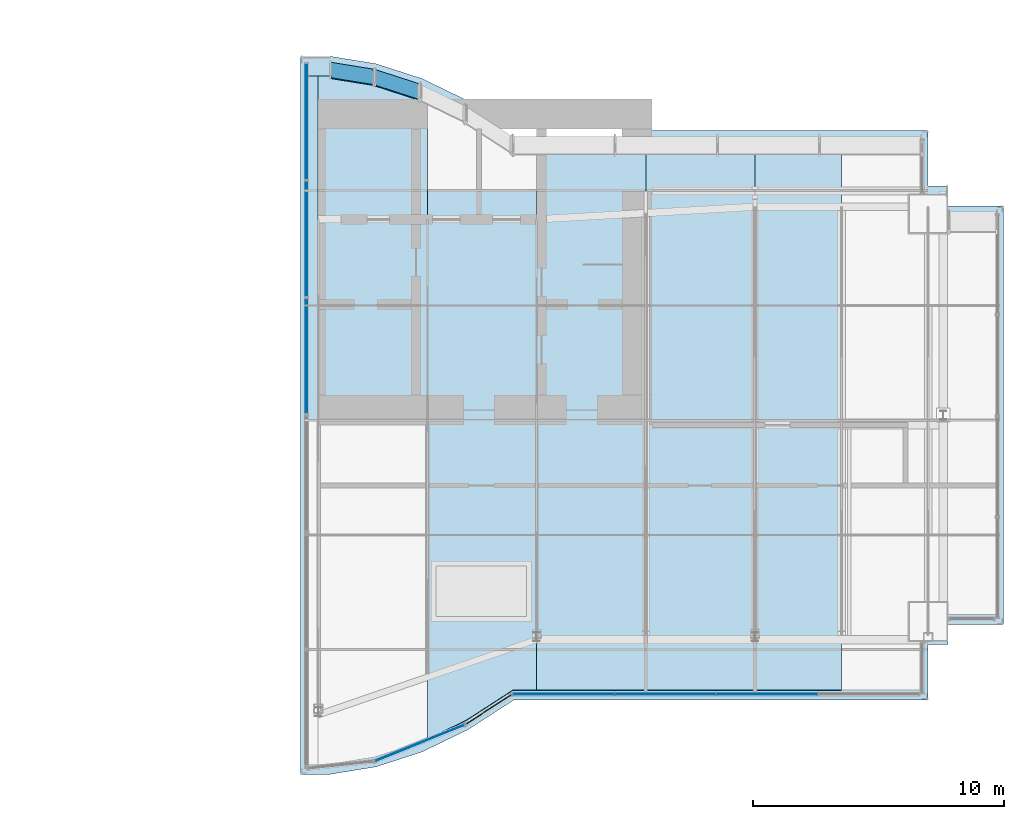
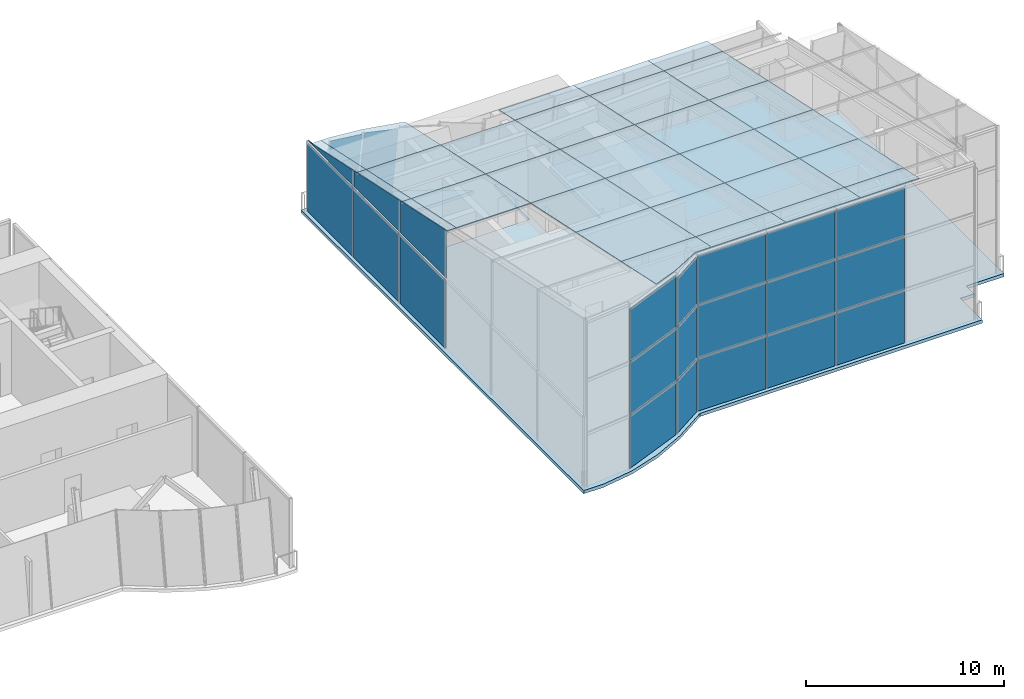
# One storey, part 11 of 17: 52 plates, 1 slab, 9 elements without a shape of their own.
"""IFC4 building model written with IfcOpenShell, lengths in metres."""

from ifc_helpers import new_model, si_unit, direction, frame, origin, origin_2d, place, context, subcontext, project, spatial, polyline, rectangle, outline, extrude, material, layer, layer_set, type_object, element, aggregate, save


model = new_model("IFC4")

# Units and contexts
model_context = context("Model", 3, precision=1e-05, world=origin(), true_north=direction((0.0, 1.0)))
body_context = subcontext(model_context, "Body", "Model", "MODEL_VIEW")
ifc_project = project(units=[si_unit("LENGTHUNIT", "METRE"), si_unit("AREAUNIT", "SQUARE_METRE"), si_unit("VOLUMEUNIT", "CUBIC_METRE"), si_unit("PLANEANGLEUNIT", "RADIAN"), si_unit("MASSUNIT", "GRAM", prefix="KILO")], contexts=[model_context])

# Site, building, storey
site_placement = place(None, origin())
site = spatial("IfcSite", under=ifc_project, at=site_placement, CompositionType="ELEMENT")
building_placement = place(site_placement, origin())
building = spatial("IfcBuilding", under=site, at=building_placement, Name="Bicima Exchange Tower", CompositionType="ELEMENT")
storey_placement = place(building_placement, frame((0.0, 0.0, 356.89990234375)))
storey = spatial("IfcBuildingStorey", under=building, at=storey_placement, Name="L80", CompositionType="ELEMENT", Elevation=356.89990234375)

# Slab
ifc_material_1 = material(Name="Concrete C40/50", Category="concrete")
ifc_layer_1 = layer(ifc_material_1, 0.199951171875)
ifc_layer_set_1 = layer_set([ifc_layer_1], Name="Concrete C40/50")
slab_type = type_object("IfcSlabType", Name="Composite floor slab 200", PredefinedType="FLOOR", material=ifc_layer_set_1)
slab_placement = place(storey_placement, frame((0.0, 0.0, -0.199951171875)))
element("IfcSlab", 1, at=slab_placement, inside=storey, type_object=slab_type, Name="Floor slab", PredefinedType="FLOOR", context=body_context, shape_type="SweptSolid", body=[
    extrude(outline(polyline([(33.0, -1.264892578125), (33.0, -3.46484375), (33.800048828125, -3.46484375), (33.800048828125, -4.264892578125), (36.0, -4.264892578125), (36.0, -20.944091796875), (33.800048828125, -20.944091796875), (33.800048828125, -21.743896484375), (33.0, -21.743896484375), (33.0, -23.944091796875), (16.5, -23.944091796875), (14.666748046875, -25.129150390625), (12.833251953125, -26.01806640625), (11.0, -26.610595703125), (9.166748046875, -26.906982421875), (8.0, -26.906982421875), (8.0, 1.697998046875), (9.166748046875, 1.697998046875), (11.0, 1.40185546875), (12.833251953125, 0.80908203125), (14.666748046875, -0.07958984375), (16.399658203125, -1.199951171875), (15.10009765625, -1.199951171875), (12.60009765625, -1.199951171875), (12.60009765625, -4.800048828125), (15.10009765625, -4.800048828125), (17.60009765625, -4.800048828125), (17.60009765625, -1.264892578125), (17.800048828125, -1.264892578125), (17.800048828125, -6.449951171875), (20.800048828125, -6.449951171875), (20.800048828125, -1.264892578125), (33.0, -1.264892578125)])), origin(), (0.0, 0.0, 1.0), 0.199951171875),
])

# Curtain wall, plates
ifc_material_2 = material(Name="Anodised bronze aluminium", Category="aluminium")
curtain_wall_type = type_object("IfcCurtainWallType", Name="Crown glass wall", PredefinedType="NOTDEFINED", material=ifc_material_2)
curtain_wall_1_placement = place(storey_placement, origin())
curtain_wall_1 = element("IfcCurtainWall", 2, at=curtain_wall_1_placement, inside=storey, type_object=curtain_wall_type, Name="Crown glass wall L80 run 8", PredefinedType="NOTDEFINED")
ifc_material_3 = material(Name="Bronze tinted glass", Category="glass")
ifc_layer_2 = layer(ifc_material_3, 0.035888671875)
ifc_layer_set_2 = layer_set([ifc_layer_2], Name="Bronze tinted glass")
plate_type_1 = type_object("IfcPlateType", Name="Crown glass wall glass panel 36", PredefinedType="CURTAIN_PANEL", material=ifc_layer_set_2)
plate_1_placement = place(storey_placement, frame((8.22998046875, -0.894775390625, 0.0), z_axis=(0.0, 0.0, 1.0), x_axis=(0.0, -1.0, 0.0)))
plate_1 = element("IfcPlate", 3, at=plate_1_placement, type_object=plate_type_1, Name="Crown glass wall panel 1.1", PredefinedType="CURTAIN_PANEL", context=body_context, shape_type="SweptSolid", body=[
    extrude(rectangle(XDim=4.60595703125, YDim=0.035888671875, at=origin_2d()), origin(), (0.0, 0.0, 1.0), 4.20947265625),
])
plate_2_placement = place(storey_placement, frame((8.22998046875, -5.560791015625, 0.0), z_axis=(0.0, 0.0, 1.0), x_axis=(0.0, -1.0, 0.0)))
plate_2 = element("IfcPlate", 4, at=plate_2_placement, type_object=plate_type_1, Name="Crown glass wall panel 2.1", PredefinedType="CURTAIN_PANEL", context=body_context, shape_type="SweptSolid", body=[
    extrude(rectangle(XDim=4.605712890625, YDim=0.035888671875, at=origin_2d()), origin(), (0.0, 0.0, 1.0), 4.20947265625),
])
plate_3_placement = place(storey_placement, frame((8.22998046875, -10.2265625, 0.0), z_axis=(0.0, 0.0, 1.0), x_axis=(0.0, -1.0, 0.0)))
plate_3 = element("IfcPlate", 5, at=plate_3_placement, type_object=plate_type_1, Name="Crown glass wall panel 3.1", PredefinedType="CURTAIN_PANEL", context=body_context, shape_type="SweptSolid", body=[
    extrude(rectangle(XDim=4.60595703125, YDim=0.035888671875, at=origin_2d()), origin(), (0.0, 0.0, 1.0), 4.20947265625),
])
aggregate(curtain_wall_1, [plate_1, plate_2, plate_3])

curtain_wall_2_placement = place(storey_placement, origin())
curtain_wall_2 = element("IfcCurtainWall", 6, at=curtain_wall_2_placement, inside=storey, type_object=curtain_wall_type, Name="Crown glass wall L80 run 9", PredefinedType="NOTDEFINED")
plate_4_placement = place(storey_placement, frame((12.749755859375, -25.657470703125, 0.0), z_axis=(0.0, 0.0, 1.0), x_axis=(0.92714396679, 0.374705304, 0.0)))
plate_4 = element("IfcPlate", 7, at=plate_4_placement, type_object=plate_type_1, Name="Crown glass wall panel 1.1", PredefinedType="CURTAIN_PANEL", context=body_context, shape_type="SweptSolid", body=[
    extrude(rectangle(XDim=3.771240234375, YDim=0.035888671875, at=origin_2d()), origin(), (0.0, 0.0, 1.0), 3.219970703125),
])
plate_5_placement = place(storey_placement, frame((12.749755859375, -25.657470703125, 3.30029296875), z_axis=(0.0, 0.0, 1.0), x_axis=(0.92714396679, 0.374705304, 0.0)))
plate_5 = element("IfcPlate", 8, at=plate_5_placement, type_object=plate_type_1, Name="Crown glass wall panel 1.2", PredefinedType="CURTAIN_PANEL", context=body_context, shape_type="SweptSolid", body=[
    extrude(rectangle(XDim=3.771240234375, YDim=0.035888671875, at=origin_2d()), origin(), (0.0, 0.0, 1.0), 3.219970703125),
])
plate_6_placement = place(storey_placement, frame((12.749755859375, -25.657470703125, 6.60009765625), z_axis=(0.0, 0.0, 1.0), x_axis=(0.92714396679, 0.374705304, 0.0)))
plate_6 = element("IfcPlate", 9, at=plate_6_placement, type_object=plate_type_1, Name="Crown glass wall panel 1.3", PredefinedType="CURTAIN_PANEL", context=body_context, shape_type="SweptSolid", body=[
    extrude(rectangle(XDim=3.771240234375, YDim=0.035888671875, at=origin_2d()), origin(), (0.0, 0.0, 1.0), 3.22021484375),
])
plate_7_placement = place(storey_placement, frame((15.492919921875, -24.3212890625, 0.0), z_axis=(0.0, 0.0, 1.0), x_axis=(0.839790466384, 0.542910648791, 0.0)))
plate_7 = element("IfcPlate", 10, at=plate_7_placement, type_object=plate_type_1, Name="Crown glass wall panel 1.1", PredefinedType="CURTAIN_PANEL", context=body_context, shape_type="SweptSolid", body=[
    extrude(rectangle(XDim=2.11669921875, YDim=0.035888671875, at=origin_2d()), origin(), (0.0, 0.0, 1.0), 3.219970703125),
])
plate_8_placement = place(storey_placement, frame((15.492919921875, -24.3212890625, 3.30029296875), z_axis=(0.0, 0.0, 1.0), x_axis=(0.839790466384, 0.542910648791, 0.0)))
plate_8 = element("IfcPlate", 11, at=plate_8_placement, type_object=plate_type_1, Name="Crown glass wall panel 1.2", PredefinedType="CURTAIN_PANEL", context=body_context, shape_type="SweptSolid", body=[
    extrude(rectangle(XDim=2.11669921875, YDim=0.035888671875, at=origin_2d()), origin(), (0.0, 0.0, 1.0), 3.219970703125),
])
plate_9_placement = place(storey_placement, frame((15.492919921875, -24.3212890625, 6.60009765625), z_axis=(0.0, 0.0, 1.0), x_axis=(0.839790466384, 0.542910648791, 0.0)))
plate_9 = element("IfcPlate", 12, at=plate_9_placement, type_object=plate_type_1, Name="Crown glass wall panel 1.3", PredefinedType="CURTAIN_PANEL", context=body_context, shape_type="SweptSolid", body=[
    extrude(rectangle(XDim=2.11669921875, YDim=0.035888671875, at=origin_2d()), origin(), (0.0, 0.0, 1.0), 2.962158203125),
])
aggregate(curtain_wall_2, [plate_4, plate_5, plate_6, plate_7, plate_8, plate_9])

curtain_wall_3_placement = place(storey_placement, origin())
curtain_wall_3 = element("IfcCurtainWall", 13, at=curtain_wall_3_placement, inside=storey, type_object=curtain_wall_type, Name="Crown glass wall L80 run 12", PredefinedType="NOTDEFINED")
plate_10_placement = place(storey_placement, frame((18.485595703125, -23.714111328125, 0.0), z_axis=(0.0, 0.0, 1.0), x_axis=(1.0, 0.0, 0.0)))
plate_10 = element("IfcPlate", 14, at=plate_10_placement, type_object=plate_type_1, Name="Crown glass wall panel 1.1", PredefinedType="CURTAIN_PANEL", context=body_context, shape_type="SweptSolid", body=[
    extrude(rectangle(XDim=3.987060546875, YDim=0.035888671875, at=origin_2d()), origin(), (0.0, 0.0, 1.0), 3.219970703125),
])
plate_11_placement = place(storey_placement, frame((18.485595703125, -23.714111328125, 3.30029296875), z_axis=(0.0, 0.0, 1.0), x_axis=(1.0, 0.0, 0.0)))
plate_11 = element("IfcPlate", 15, at=plate_11_placement, type_object=plate_type_1, Name="Crown glass wall panel 1.2", PredefinedType="CURTAIN_PANEL", context=body_context, shape_type="SweptSolid", body=[
    extrude(rectangle(XDim=3.987060546875, YDim=0.035888671875, at=origin_2d()), origin(), (0.0, 0.0, 1.0), 3.219970703125),
])
plate_12_placement = place(storey_placement, frame((18.485595703125, -23.714111328125, 6.60009765625), z_axis=(0.0, 0.0, 1.0), x_axis=(1.0, 0.0, 0.0)))
plate_12 = element("IfcPlate", 16, at=plate_12_placement, type_object=plate_type_1, Name="Crown glass wall panel 1.3", PredefinedType="CURTAIN_PANEL", context=body_context, shape_type="SweptSolid", body=[
    extrude(rectangle(XDim=3.987060546875, YDim=0.035888671875, at=origin_2d()), origin(), (0.0, 0.0, 1.0), 2.962158203125),
])
plate_13_placement = place(storey_placement, frame((22.53271484375, -23.714111328125, 0.0), z_axis=(0.0, 0.0, 1.0), x_axis=(1.0, 0.0, 0.0)))
plate_13 = element("IfcPlate", 17, at=plate_13_placement, type_object=plate_type_1, Name="Crown glass wall panel 2.1", PredefinedType="CURTAIN_PANEL", context=body_context, shape_type="SweptSolid", body=[
    extrude(rectangle(XDim=3.987060546875, YDim=0.035888671875, at=origin_2d()), origin(), (0.0, 0.0, 1.0), 3.219970703125),
])
plate_14_placement = place(storey_placement, frame((22.53271484375, -23.714111328125, 3.30029296875), z_axis=(0.0, 0.0, 1.0), x_axis=(1.0, 0.0, 0.0)))
plate_14 = element("IfcPlate", 18, at=plate_14_placement, type_object=plate_type_1, Name="Crown glass wall panel 2.2", PredefinedType="CURTAIN_PANEL", context=body_context, shape_type="SweptSolid", body=[
    extrude(rectangle(XDim=3.987060546875, YDim=0.035888671875, at=origin_2d()), origin(), (0.0, 0.0, 1.0), 3.219970703125),
])
plate_15_placement = place(storey_placement, frame((22.53271484375, -23.714111328125, 6.60009765625), z_axis=(0.0, 0.0, 1.0), x_axis=(1.0, 0.0, 0.0)))
plate_15 = element("IfcPlate", 19, at=plate_15_placement, type_object=plate_type_1, Name="Crown glass wall panel 2.3", PredefinedType="CURTAIN_PANEL", context=body_context, shape_type="SweptSolid", body=[
    extrude(rectangle(XDim=3.987060546875, YDim=0.035888671875, at=origin_2d()), origin(), (0.0, 0.0, 1.0), 2.962158203125),
])
plate_16_placement = place(storey_placement, frame((26.57958984375, -23.714111328125, 0.0), z_axis=(0.0, 0.0, 1.0), x_axis=(1.0, 0.0, 0.0)))
plate_16 = element("IfcPlate", 20, at=plate_16_placement, type_object=plate_type_1, Name="Crown glass wall panel 3.1", PredefinedType="CURTAIN_PANEL", context=body_context, shape_type="SweptSolid", body=[
    extrude(rectangle(XDim=3.987060546875, YDim=0.035888671875, at=origin_2d()), origin(), (0.0, 0.0, 1.0), 3.219970703125),
])
plate_17_placement = place(storey_placement, frame((26.57958984375, -23.714111328125, 3.30029296875), z_axis=(0.0, 0.0, 1.0), x_axis=(1.0, 0.0, 0.0)))
plate_17 = element("IfcPlate", 21, at=plate_17_placement, type_object=plate_type_1, Name="Crown glass wall panel 3.2", PredefinedType="CURTAIN_PANEL", context=body_context, shape_type="SweptSolid", body=[
    extrude(rectangle(XDim=3.987060546875, YDim=0.035888671875, at=origin_2d()), origin(), (0.0, 0.0, 1.0), 3.219970703125),
])
plate_18_placement = place(storey_placement, frame((26.57958984375, -23.714111328125, 6.60009765625), z_axis=(0.0, 0.0, 1.0), x_axis=(1.0, 0.0, 0.0)))
plate_18 = element("IfcPlate", 22, at=plate_18_placement, type_object=plate_type_1, Name="Crown glass wall panel 3.3", PredefinedType="CURTAIN_PANEL", context=body_context, shape_type="SweptSolid", body=[
    extrude(rectangle(XDim=3.987060546875, YDim=0.035888671875, at=origin_2d()), origin(), (0.0, 0.0, 1.0), 2.962158203125),
])
aggregate(curtain_wall_3, [plate_10, plate_11, plate_12, plate_13, plate_14, plate_15, plate_16, plate_17, plate_18])

# Curtain wall, plate
curtain_wall_4_placement = place(storey_placement, origin())
curtain_wall_4 = element("IfcCurtainWall", 23, at=curtain_wall_4_placement, inside=storey, type_object=curtain_wall_type, Name="Crown tilted glass L80 5.1", PredefinedType="NOTDEFINED")
plate_19_placement = place(storey_placement, frame((12.690185546875, 0.61376953125, 0.0), z_axis=(0.304908016955, 0.943112979928, 0.132548135739), x_axis=(-0.951508549588, 0.307622300981, 0.0)))
plate_19 = element("IfcPlate", 24, at=plate_19_placement, type_object=plate_type_1, Name="Crown tilted glass panel 1", PredefinedType="CURTAIN_PANEL", context=body_context, shape_type="SweptSolid", body=[
    extrude(outline(polyline([(0.0, 0.0), (1.772986400889888, 0.0), (1.5813983906841107, 4.470844672097375), (-0.1915880102057772, 4.470844672097375), (0.0, 0.0)])), origin(), (0.0, 0.0, -1.0), 0.035888671875),
])
aggregate(curtain_wall_4, [plate_19])

curtain_wall_5_placement = place(storey_placement, origin())
curtain_wall_5 = element("IfcCurtainWall", 25, at=curtain_wall_5_placement, inside=storey, type_object=curtain_wall_type, Name="Crown tilted glass L80 6.1", PredefinedType="NOTDEFINED")
plate_20_placement = place(storey_placement, frame((10.88671875, 1.18701171875, 0.0), z_axis=(0.158088693404, 0.977818375212, 0.137401565184), x_axis=(-0.987181369594, 0.159602454636, 0.0)))
plate_20 = element("IfcPlate", 26, at=plate_20_placement, type_object=plate_type_1, Name="Crown tilted glass panel 1", PredefinedType="CURTAIN_PANEL", context=body_context, shape_type="SweptSolid", body=[
    extrude(outline(polyline([(0.0, 0.0), (1.7010037572326968, 0.0), (1.6030056680211657, 4.411469816523273), (-0.09799808921153112, 4.411469816523273), (0.0, 0.0)])), origin(), (0.0, 0.0, -1.0), 0.035888671875),
])
aggregate(curtain_wall_5, [plate_20])

# Curtain wall, plates
curtain_wall_6_placement = place(storey_placement, origin())
curtain_wall_6 = element("IfcCurtainWall", 27, at=curtain_wall_6_placement, inside=storey, type_object=curtain_wall_type, Name="Gable glazing east 8", PredefinedType="NOTDEFINED")
plate_21_placement = place(storey_placement, frame((8.22998046875, 1.408203125, 4.36962890625), z_axis=(-1.0, 0.0, 0.0), x_axis=(0.0, -1.0, 0.0)))
plate_21 = element("IfcPlate", 28, at=plate_21_placement, type_object=plate_type_1, Name="Gable glazing panel 1", PredefinedType="CURTAIN_PANEL", context=body_context, shape_type="SweptSolid", body=[
    extrude(outline(polyline([(0.0, 0.0), (4.62109375, 0.0), (4.62109375, 0.994873046875), (0.0, 0.0)])), origin(), (0.0, 0.0, -1.0), 0.035888671875),
])
plate_22_placement = place(storey_placement, frame((8.22998046875, -3.272705078125, 4.36962890625), z_axis=(-1.0, 0.0, 0.0), x_axis=(0.0, -1.0, 0.0)))
plate_22 = element("IfcPlate", 29, at=plate_22_placement, type_object=plate_type_1, Name="Gable glazing panel 2", PredefinedType="CURTAIN_PANEL", context=body_context, shape_type="SweptSolid", body=[
    extrude(outline(polyline([(0.0, 0.0), (4.620849609375, 0.0), (4.620849609375, 1.989990234375), (0.0, 1.007568359375), (0.0, 0.0)])), origin(), (0.0, 0.0, -1.0), 0.035888671875),
])
plate_23_placement = place(storey_placement, frame((8.22998046875, -7.95361328125, 4.36962890625), z_axis=(-1.0, 0.0, 0.0), x_axis=(0.0, -1.0, 0.0)))
plate_23 = element("IfcPlate", 30, at=plate_23_placement, type_object=plate_type_1, Name="Gable glazing panel 3", PredefinedType="CURTAIN_PANEL", context=body_context, shape_type="SweptSolid", body=[
    extrude(outline(polyline([(0.0, 0.0), (4.620849609375, 0.0), (4.620849609375, 2.98486328125), (0.0, 2.002685546875), (0.0, 0.0)])), origin(), (0.0, 0.0, -1.0), 0.035888671875),
])
aggregate(curtain_wall_6, [plate_21, plate_22, plate_23])

curtain_wall_7_placement = place(storey_placement, origin())
curtain_wall_7 = element("IfcCurtainWall", 31, at=curtain_wall_7_placement, inside=storey, type_object=curtain_wall_type, Name="Roof glazing east", PredefinedType="NOTDEFINED")
ifc_material_4 = material(Name="Bronze tinted safety glass, interlayer bonded", Category="glass")
ifc_layer_3 = layer(ifc_material_4, 0.0439453125)
ifc_layer_set_3 = layer_set([ifc_layer_3], Name="Bronze tinted safety glass, interlayer bonded")
plate_type_2 = type_object("IfcPlateType", Name="Glass roof panel 44", PredefinedType="CURTAIN_PANEL", material=ifc_layer_set_3)
plate_24_placement = place(storey_placement, frame((8.14990234375, -8.227294921875, 6.475341796875), z_axis=(0.0, 0.207916236148, 0.978146634583), x_axis=(1.0, 0.0, 0.0)))
plate_24 = element("IfcPlate", 32, at=plate_24_placement, type_object=plate_type_2, Name="Glass roof panel east 1.4", PredefinedType="CURTAIN_PANEL", context=body_context, shape_type="SweptSolid", body=[
    extrude(outline(polyline([(0.0, 0.0), (0.550048828125, 0.0), (0.550048828125, -4.673418995556918), (0.0, -4.673418995556918), (0.0, 0.0)])), origin(), (0.0, 0.0, -1.0), 0.0439453125),
])
plate_25_placement = place(storey_placement, frame((8.14990234375, -3.65576171875, 5.503662109375), z_axis=(0.0, 0.207905612443, 0.978148892712), x_axis=(1.0, 0.0, 0.0)))
plate_25 = element("IfcPlate", 33, at=plate_25_placement, type_object=plate_type_2, Name="Glass roof panel east 1.5", PredefinedType="CURTAIN_PANEL", context=body_context, shape_type="SweptSolid", body=[
    extrude(outline(polyline([(0.0, 0.0), (0.550048828125, 0.0), (0.550048828125, -4.673657801163284), (0.0, -4.673657801163284), (0.0, 0.0)])), origin(), (0.0, 0.0, -1.0), 0.0439453125),
])
plate_26_placement = place(storey_placement, frame((8.699951171875, 0.915771484375, 4.531982421875), z_axis=(0.0, 0.207905612443, 0.978148892712), x_axis=(0.0, -0.978148892712, 0.207905612443)))
plate_26 = element("IfcPlate", 34, at=plate_26_placement, type_object=plate_type_2, Name="Glass roof panel east 1.6", PredefinedType="CURTAIN_PANEL", context=body_context, shape_type="SweptSolid", body=[
    extrude(outline(polyline([(0.0, 0.0), (4.673657801163284, 0.0), (4.673657801163284, -0.550048828125), (0.0, -0.550048828125), (0.0, 0.0)])), origin(), (0.0, 0.0, -1.0), 0.0439453125),
])
plate_27_placement = place(storey_placement, frame((8.699951171875, -12.798583984375, 7.447021484375), z_axis=(0.0, 0.207916236148, 0.978146634583), x_axis=(0.0, 0.978146634583, -0.207916236148)))
plate_27 = element("IfcPlate", 35, at=plate_27_placement, type_object=plate_type_2, Name="Glass roof panel east 2.4", PredefinedType="CURTAIN_PANEL", context=body_context, shape_type="SweptSolid", body=[
    extrude(outline(polyline([(0.0, 0.0), (4.673418995556918, 0.0), (4.673418995556918, -4.35009765625), (0.0, -4.35009765625), (0.0, 0.0)])), origin(), (0.0, 0.0, -1.0), 0.0439453125),
])
plate_28_placement = place(storey_placement, frame((8.699951171875, -8.227294921875, 6.475341796875), z_axis=(0.0, 0.207905612443, 0.978148892712), x_axis=(0.0, 0.978148892712, -0.207905612443)))
plate_28 = element("IfcPlate", 36, at=plate_28_placement, type_object=plate_type_2, Name="Glass roof panel east 2.5", PredefinedType="CURTAIN_PANEL", context=body_context, shape_type="SweptSolid", body=[
    extrude(outline(polyline([(0.0, 0.0), (4.673657801163284, 0.0), (4.673657801163284, -4.350097656250001), (0.0, -4.350097656250001), (0.0, 0.0)])), origin(), (0.0, 0.0, -1.0), 0.0439453125),
])

# Curtain wall, plate
curtain_wall_8_placement = place(storey_placement, origin())
curtain_wall_8 = element("IfcCurtainWall", 37, at=curtain_wall_8_placement, inside=storey, type_object=curtain_wall_type, Name="Roof edge glazing east 2.6", PredefinedType="NOTDEFINED")
plate_29_placement = place(storey_placement, frame((9.15478515625, 0.915771484375, 4.531982421875), z_axis=(-3.050073e-06, 0.207898905361, 0.978150318274), x_axis=(0.986605661612, -0.159558654485, 0.033916135595)))
plate_29 = element("IfcPlate", 38, at=plate_29_placement, type_object=plate_type_2, Name="Glass roof panel east 2.6", PredefinedType="CURTAIN_PANEL", context=body_context, shape_type="SweptSolid", body=[
    extrude(outline(polyline([(0.0, 0.0), (1.8346322794182268, 3.469446951953614e-18), (3.7202895712664765, -0.2951402318128174), (4.011648525369692, -0.38407393663901385), (4.605472499004927, -3.975648296354467), (0.3136415227828173, -4.685251347557086), (-0.4487417840779993, -0.07419410059436983), (0.0, 0.0)])), origin(), (0.0, 0.0, -1.0), 0.0439453125),
])
aggregate(curtain_wall_8, [plate_29])

curtain_wall_9_placement = place(storey_placement, origin())
curtain_wall_9 = element("IfcCurtainWall", 39, at=curtain_wall_9_placement, inside=storey, type_object=curtain_wall_type, Name="Roof edge glazing east 3.1", PredefinedType="NOTDEFINED")
plate_30_placement = place(storey_placement, frame((16.455810546875, -23.550048828125, 9.732177734375), z_axis=(9.656432e-06, 0.207892673294, 0.978151642792), x_axis=(-0.83428133959, -0.539291432476, 0.114627209992)))
plate_30 = element("IfcPlate", 40, at=plate_30_placement, type_object=plate_type_2, Name="Glass roof panel east 3.1", PredefinedType="CURTAIN_PANEL", context=body_context, shape_type="SweptSolid", body=[
    extrude(outline(polyline([(0.0, 0.0), (2.2328115012993077, -1.249000902703301e-16), (3.941715146078952, -0.21268645309308093), (1.9346570665769918, -3.2497493693516075), (-1.6943445514567501, -0.851505665734456), (-0.7876381689923376, 0.5205145872979472), (0.0, 0.0)])), origin(), (0.0, 0.0, -1.0), 0.0439453125),
])
aggregate(curtain_wall_9, [plate_30])

# Plate
plate_31_placement = place(storey_placement, frame((13.050048828125, -21.94140625, 9.390380859375), z_axis=(0.0, 0.207916236148, 0.978146634583), x_axis=(0.0, 0.978146634583, -0.207916236148)))
plate_31 = element("IfcPlate", 41, at=plate_31_placement, type_object=plate_type_2, Name="Glass roof panel east 3.2", PredefinedType="CURTAIN_PANEL", context=body_context, shape_type="SweptSolid", body=[
    extrude(outline(polyline([(0.0, 0.0), (4.673418995556918, 0.0), (4.673418995556918, -4.349853515625), (0.0, -4.349853515625), (0.0, 0.0)])), origin(), (0.0, 0.0, -1.0), 0.0439453125),
])

plate_32_placement = place(storey_placement, frame((13.050048828125, -17.3701171875, 8.418701171875), z_axis=(0.0, 0.207905612443, 0.978148892712), x_axis=(0.0, 0.978148892712, -0.207905612443)))
plate_32 = element("IfcPlate", 42, at=plate_32_placement, type_object=plate_type_2, Name="Glass roof panel east 3.3", PredefinedType="CURTAIN_PANEL", context=body_context, shape_type="SweptSolid", body=[
    extrude(outline(polyline([(0.0, 0.0), (4.673657801163284, 0.0), (4.673657801163284, -4.349853515624999), (0.0, -4.349853515624999), (0.0, 0.0)])), origin(), (0.0, 0.0, -1.0), 0.0439453125),
])

plate_33_placement = place(storey_placement, frame((13.050048828125, -12.798583984375, 7.447021484375), z_axis=(0.0, 0.207916236148, 0.978146634583), x_axis=(0.0, 0.978146634583, -0.207916236148)))
plate_33 = element("IfcPlate", 43, at=plate_33_placement, type_object=plate_type_2, Name="Glass roof panel east 3.4", PredefinedType="CURTAIN_PANEL", context=body_context, shape_type="SweptSolid", body=[
    extrude(outline(polyline([(0.0, 0.0), (4.673418995556918, 0.0), (4.673418995556918, -4.349853515625), (0.0, -4.349853515625), (0.0, 0.0)])), origin(), (0.0, 0.0, -1.0), 0.0439453125),
])

plate_34_placement = place(storey_placement, frame((13.050048828125, -8.227294921875, 6.475341796875), z_axis=(0.0, 0.207905612443, 0.978148892712), x_axis=(0.0, 0.978148892712, -0.207905612443)))
plate_34 = element("IfcPlate", 44, at=plate_34_placement, type_object=plate_type_2, Name="Glass roof panel east 3.5", PredefinedType="CURTAIN_PANEL", context=body_context, shape_type="SweptSolid", body=[
    extrude(outline(polyline([(0.0, 0.0), (4.673657801163284, 0.0), (4.673657801163284, -4.349853515624999), (0.0, -4.349853515624999), (0.0, 0.0)])), origin(), (0.0, 0.0, -1.0), 0.0439453125),
])

plate_35_placement = place(storey_placement, frame((17.39990234375, -23.550048828125, 9.732177734375), z_axis=(0.0, 0.207835674253, 0.978163755466), x_axis=(0.0, 0.978163755466, -0.207835674253)))
plate_35 = element("IfcPlate", 45, at=plate_35_placement, type_object=plate_type_2, Name="Glass roof panel east 4.1", PredefinedType="CURTAIN_PANEL", context=body_context, shape_type="SweptSolid", body=[
    extrude(outline(polyline([(0.0, 0.0), (1.6445534493948235, 0.0), (1.6445534493948235, -4.350097656249999), (0.0, -4.350097656249999), (0.0, 0.0)])), origin(), (0.0, 0.0, -1.0), 0.0439453125),
])

plate_36_placement = place(storey_placement, frame((17.39990234375, -21.94140625, 9.390380859375), z_axis=(0.0, 0.207916236148, 0.978146634583), x_axis=(0.0, 0.978146634583, -0.207916236148)))
plate_36 = element("IfcPlate", 46, at=plate_36_placement, type_object=plate_type_2, Name="Glass roof panel east 4.2", PredefinedType="CURTAIN_PANEL", context=body_context, shape_type="SweptSolid", body=[
    extrude(outline(polyline([(0.0, 0.0), (4.673418995556918, 0.0), (4.673418995556918, -4.35009765625), (0.0, -4.35009765625), (0.0, 0.0)])), origin(), (0.0, 0.0, -1.0), 0.0439453125),
])

plate_37_placement = place(storey_placement, frame((17.39990234375, -17.3701171875, 8.418701171875), z_axis=(0.0, 0.207905612443, 0.978148892712), x_axis=(0.0, 0.978148892712, -0.207905612443)))
plate_37 = element("IfcPlate", 47, at=plate_37_placement, type_object=plate_type_2, Name="Glass roof panel east 4.3", PredefinedType="CURTAIN_PANEL", context=body_context, shape_type="SweptSolid", body=[
    extrude(outline(polyline([(0.0, 0.0), (4.673657801163284, 0.0), (4.673657801163284, -4.350097656250001), (0.0, -4.350097656250001), (0.0, 0.0)])), origin(), (0.0, 0.0, -1.0), 0.0439453125),
])

plate_38_placement = place(storey_placement, frame((17.39990234375, -12.798583984375, 7.447021484375), z_axis=(0.0, 0.207916236148, 0.978146634583), x_axis=(0.0, 0.978146634583, -0.207916236148)))
plate_38 = element("IfcPlate", 48, at=plate_38_placement, type_object=plate_type_2, Name="Glass roof panel east 4.4", PredefinedType="CURTAIN_PANEL", context=body_context, shape_type="SweptSolid", body=[
    extrude(outline(polyline([(0.0, 0.0), (4.673418995556918, 0.0), (4.673418995556918, -4.35009765625), (0.0, -4.35009765625), (0.0, 0.0)])), origin(), (0.0, 0.0, -1.0), 0.0439453125),
])

plate_39_placement = place(storey_placement, frame((17.39990234375, -8.227294921875, 6.475341796875), z_axis=(0.0, 0.207905612443, 0.978148892712), x_axis=(0.0, 0.978148892712, -0.207905612443)))
plate_39 = element("IfcPlate", 49, at=plate_39_placement, type_object=plate_type_2, Name="Glass roof panel east 4.5", PredefinedType="CURTAIN_PANEL", context=body_context, shape_type="SweptSolid", body=[
    extrude(outline(polyline([(0.0, 0.0), (4.673657801163284, 0.0), (4.673657801163284, -4.350097656250001), (0.0, -4.350097656250001), (0.0, 0.0)])), origin(), (0.0, 0.0, -1.0), 0.0439453125),
])

plate_40_placement = place(storey_placement, frame((21.75, -2.04736328125, 5.161865234375), z_axis=(0.0, 0.207865858849, 0.978157341497), x_axis=(0.0, -0.978157341497, 0.207865858849)))
plate_40 = element("IfcPlate", 50, at=plate_40_placement, type_object=plate_type_2, Name="Glass roof panel east 4.6", PredefinedType="CURTAIN_PANEL", context=body_context, shape_type="SweptSolid", body=[
    extrude(outline(polyline([(0.0, 0.0), (1.64431464066711, 0.0), (1.64431464066711, -4.35009765625), (0.0, -4.35009765625), (0.0, 0.0)])), origin(), (0.0, 0.0, -1.0), 0.0439453125),
])

plate_41_placement = place(storey_placement, frame((21.75, -23.550048828125, 9.732177734375), z_axis=(0.0, 0.207835674253, 0.978163755466), x_axis=(0.0, 0.978163755466, -0.207835674253)))
plate_41 = element("IfcPlate", 51, at=plate_41_placement, type_object=plate_type_2, Name="Glass roof panel east 5.1", PredefinedType="CURTAIN_PANEL", context=body_context, shape_type="SweptSolid", body=[
    extrude(outline(polyline([(0.0, 0.0), (1.6445534493948235, 0.0), (1.6445534493948235, -4.350097656249999), (0.0, -4.350097656249999), (0.0, 0.0)])), origin(), (0.0, 0.0, -1.0), 0.0439453125),
])

plate_42_placement = place(storey_placement, frame((21.75, -21.94140625, 9.390380859375), z_axis=(0.0, 0.207916236148, 0.978146634583), x_axis=(0.0, 0.978146634583, -0.207916236148)))
plate_42 = element("IfcPlate", 52, at=plate_42_placement, type_object=plate_type_2, Name="Glass roof panel east 5.2", PredefinedType="CURTAIN_PANEL", context=body_context, shape_type="SweptSolid", body=[
    extrude(outline(polyline([(0.0, 0.0), (4.673418995556918, 0.0), (4.673418995556918, -4.35009765625), (0.0, -4.35009765625), (0.0, 0.0)])), origin(), (0.0, 0.0, -1.0), 0.0439453125),
])

plate_43_placement = place(storey_placement, frame((21.75, -17.3701171875, 8.418701171875), z_axis=(0.0, 0.207905612443, 0.978148892712), x_axis=(0.0, 0.978148892712, -0.207905612443)))
plate_43 = element("IfcPlate", 53, at=plate_43_placement, type_object=plate_type_2, Name="Glass roof panel east 5.3", PredefinedType="CURTAIN_PANEL", context=body_context, shape_type="SweptSolid", body=[
    extrude(outline(polyline([(0.0, 0.0), (4.673657801163284, 0.0), (4.673657801163284, -4.350097656250001), (0.0, -4.350097656250001), (0.0, 0.0)])), origin(), (0.0, 0.0, -1.0), 0.0439453125),
])

plate_44_placement = place(storey_placement, frame((21.75, -12.798583984375, 7.447021484375), z_axis=(0.0, 0.207916236148, 0.978146634583), x_axis=(0.0, 0.978146634583, -0.207916236148)))
plate_44 = element("IfcPlate", 54, at=plate_44_placement, type_object=plate_type_2, Name="Glass roof panel east 5.4", PredefinedType="CURTAIN_PANEL", context=body_context, shape_type="SweptSolid", body=[
    extrude(outline(polyline([(0.0, 0.0), (4.673418995556918, 0.0), (4.673418995556918, -4.35009765625), (0.0, -4.35009765625), (0.0, 0.0)])), origin(), (0.0, 0.0, -1.0), 0.0439453125),
])

plate_45_placement = place(storey_placement, frame((21.75, -8.227294921875, 6.475341796875), z_axis=(0.0, 0.207905612443, 0.978148892712), x_axis=(0.0, 0.978148892712, -0.207905612443)))
plate_45 = element("IfcPlate", 55, at=plate_45_placement, type_object=plate_type_2, Name="Glass roof panel east 5.5", PredefinedType="CURTAIN_PANEL", context=body_context, shape_type="SweptSolid", body=[
    extrude(outline(polyline([(0.0, 0.0), (4.673657801163284, 0.0), (4.673657801163284, -4.350097656250001), (0.0, -4.350097656250001), (0.0, 0.0)])), origin(), (0.0, 0.0, -1.0), 0.0439453125),
])

plate_46_placement = place(storey_placement, frame((26.10009765625, -2.04736328125, 5.161865234375), z_axis=(0.0, 0.207865858849, 0.978157341497), x_axis=(0.0, -0.978157341497, 0.207865858849)))
plate_46 = element("IfcPlate", 56, at=plate_46_placement, type_object=plate_type_2, Name="Glass roof panel east 5.6", PredefinedType="CURTAIN_PANEL", context=body_context, shape_type="SweptSolid", body=[
    extrude(outline(polyline([(0.0, 0.0), (1.64431464066711, 0.0), (1.64431464066711, -4.35009765625), (0.0, -4.35009765625), (0.0, 0.0)])), origin(), (0.0, 0.0, -1.0), 0.0439453125),
])

plate_47_placement = place(storey_placement, frame((26.10009765625, -23.550048828125, 9.732177734375), z_axis=(0.0, 0.207835674253, 0.978163755466), x_axis=(0.0, 0.978163755466, -0.207835674253)))
plate_47 = element("IfcPlate", 57, at=plate_47_placement, type_object=plate_type_2, Name="Glass roof panel east 6.1", PredefinedType="CURTAIN_PANEL", context=body_context, shape_type="SweptSolid", body=[
    extrude(outline(polyline([(0.0, 0.0), (1.6445534493948235, 0.0), (1.6445534493948235, -3.449951171875), (0.0, -3.449951171875), (0.0, 0.0)])), origin(), (0.0, 0.0, -1.0), 0.0439453125),
])

plate_48_placement = place(storey_placement, frame((26.10009765625, -21.94140625, 9.390380859375), z_axis=(0.0, 0.207916236148, 0.978146634583), x_axis=(0.0, 0.978146634583, -0.207916236148)))
plate_48 = element("IfcPlate", 58, at=plate_48_placement, type_object=plate_type_2, Name="Glass roof panel east 6.2", PredefinedType="CURTAIN_PANEL", context=body_context, shape_type="SweptSolid", body=[
    extrude(outline(polyline([(0.0, 0.0), (4.673418995556918, 0.0), (4.673418995556918, -3.449951171875), (0.0, -3.449951171875), (0.0, 0.0)])), origin(), (0.0, 0.0, -1.0), 0.0439453125),
])

plate_49_placement = place(storey_placement, frame((26.10009765625, -17.3701171875, 8.418701171875), z_axis=(0.0, 0.207905612443, 0.978148892712), x_axis=(0.0, 0.978148892712, -0.207905612443)))
plate_49 = element("IfcPlate", 59, at=plate_49_placement, type_object=plate_type_2, Name="Glass roof panel east 6.3", PredefinedType="CURTAIN_PANEL", context=body_context, shape_type="SweptSolid", body=[
    extrude(outline(polyline([(0.0, 0.0), (4.673657801163284, 0.0), (4.673657801163284, -3.449951171875), (0.0, -3.449951171875), (0.0, 0.0)])), origin(), (0.0, 0.0, -1.0), 0.0439453125),
])

plate_50_placement = place(storey_placement, frame((26.10009765625, -12.798583984375, 7.447021484375), z_axis=(0.0, 0.207916236148, 0.978146634583), x_axis=(0.0, 0.978146634583, -0.207916236148)))
plate_50 = element("IfcPlate", 60, at=plate_50_placement, type_object=plate_type_2, Name="Glass roof panel east 6.4", PredefinedType="CURTAIN_PANEL", context=body_context, shape_type="SweptSolid", body=[
    extrude(outline(polyline([(0.0, 0.0), (4.673418995556918, 0.0), (4.673418995556918, -3.449951171875), (0.0, -3.449951171875), (0.0, 0.0)])), origin(), (0.0, 0.0, -1.0), 0.0439453125),
])

plate_51_placement = place(storey_placement, frame((26.10009765625, -8.227294921875, 6.475341796875), z_axis=(0.0, 0.207905612443, 0.978148892712), x_axis=(0.0, 0.978148892712, -0.207905612443)))
plate_51 = element("IfcPlate", 61, at=plate_51_placement, type_object=plate_type_2, Name="Glass roof panel east 6.5", PredefinedType="CURTAIN_PANEL", context=body_context, shape_type="SweptSolid", body=[
    extrude(outline(polyline([(0.0, 0.0), (4.673657801163284, 0.0), (4.673657801163284, -3.449951171875), (0.0, -3.449951171875), (0.0, 0.0)])), origin(), (0.0, 0.0, -1.0), 0.0439453125),
])

plate_52_placement = place(storey_placement, frame((29.550048828125, -2.04736328125, 5.161865234375), z_axis=(0.0, 0.207865858849, 0.978157341497), x_axis=(0.0, -0.978157341497, 0.207865858849)))
plate_52 = element("IfcPlate", 62, at=plate_52_placement, type_object=plate_type_2, Name="Glass roof panel east 6.6", PredefinedType="CURTAIN_PANEL", context=body_context, shape_type="SweptSolid", body=[
    extrude(outline(polyline([(0.0, 0.0), (1.64431464066711, 0.0), (1.64431464066711, -3.449951171875), (0.0, -3.449951171875), (0.0, 0.0)])), origin(), (0.0, 0.0, -1.0), 0.0439453125),
])

aggregate(curtain_wall_7, [plate_24, plate_25, plate_26, plate_27, plate_28, plate_31, plate_32, plate_33, plate_34, plate_35, plate_36, plate_37, plate_38, plate_39, plate_40, plate_41, plate_42, plate_43, plate_44, plate_45, plate_46, plate_47, plate_48, plate_49, plate_50, plate_51, plate_52])

save(model, "model.ifc")
